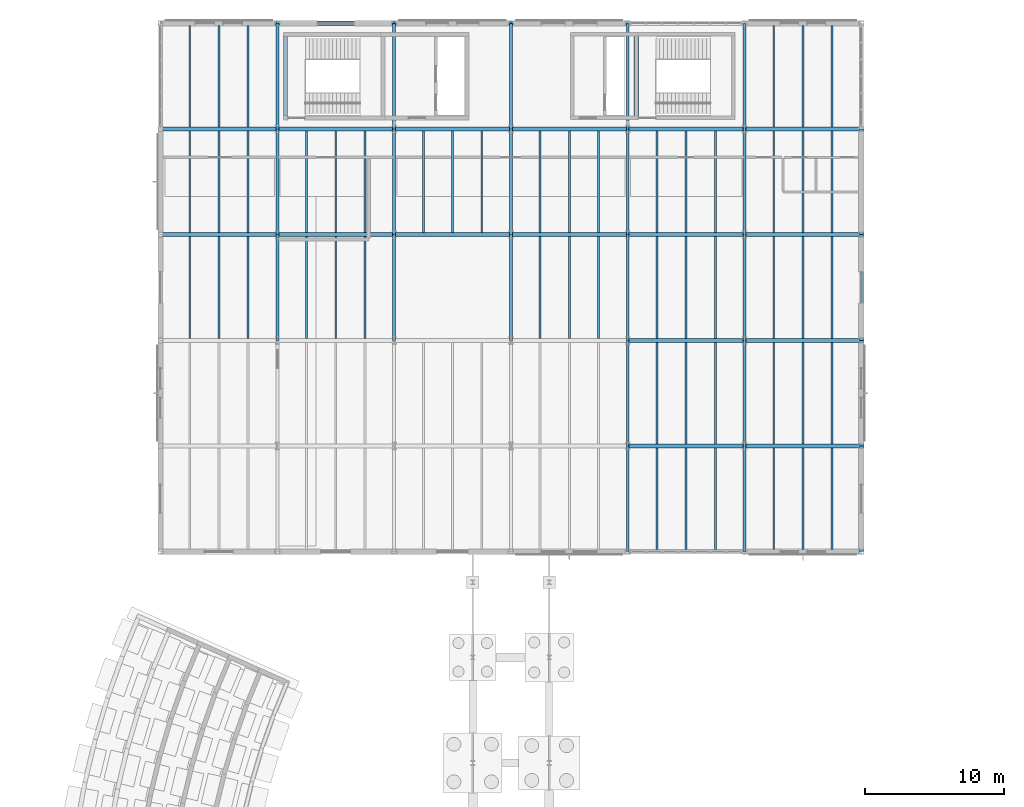
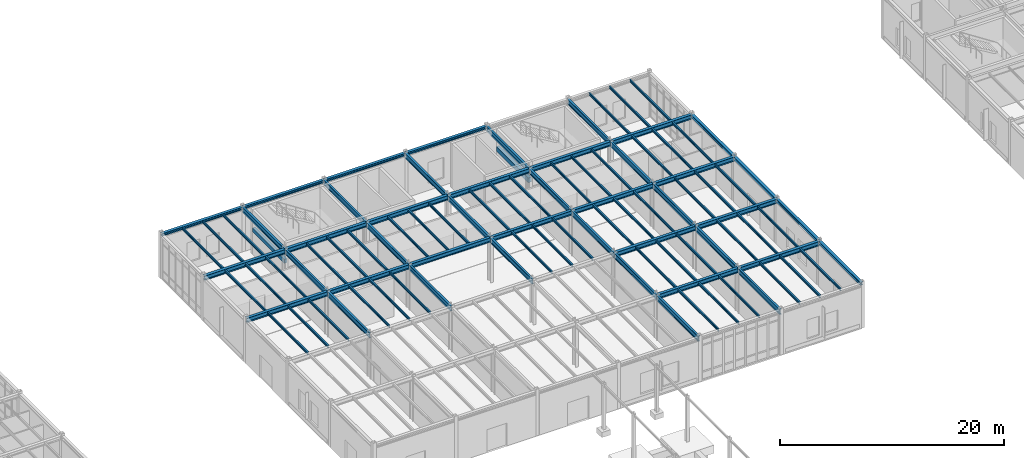
# One storey, part 60 of 109: 96 beams.
"""IFC4 building model written with IfcOpenShell, lengths in metres."""

from ifc_helpers import new_model, si_unit, direction, frame, origin, origin_2d, place, context, subcontext, project, spatial, rectangle, i_section, extrude, material, material_profile, profile_set, type_object, element, save


model = new_model("IFC4")

# Units and contexts
model_context = context("Model", 3, precision=1e-05, world=origin(), true_north=direction((0.0, 1.0)))
body_context = subcontext(model_context, "Body", "Model", "MODEL_VIEW")
ifc_project = project(units=[si_unit("LENGTHUNIT", "METRE"), si_unit("AREAUNIT", "SQUARE_METRE"), si_unit("VOLUMEUNIT", "CUBIC_METRE"), si_unit("PLANEANGLEUNIT", "RADIAN"), si_unit("MASSUNIT", "GRAM", prefix="KILO")], contexts=[model_context])

# Site, building, storey
site_placement = place(None, origin())
site = spatial("IfcSite", under=ifc_project, at=site_placement, CompositionType="ELEMENT")
building_placement = place(site_placement, origin())
building = spatial("IfcBuilding", under=site, at=building_placement, Name="Montecoro Central Library", CompositionType="ELEMENT")
storey_placement = place(building_placement, origin())
storey = spatial("IfcBuildingStorey", under=building, at=storey_placement, Name="L00", CompositionType="ELEMENT", Elevation=0.0)

# Beams
ifc_material_1 = material(Name="Steel S355J2", Category="steel")
ifc_material_profile_1 = material_profile(ifc_material_1, i_section(OverallWidth=0.300048828125, OverallDepth=0.489990234375, WebThickness=0.011962890625, FlangeThickness=0.02294921875, at=origin_2d()), Name="HEA 500")
ifc_profile_set_1 = profile_set([ifc_material_profile_1], Name="Steel S355J2")
beam_type_1 = type_object("IfcBeamType", Name="BM-G-HEA500", PredefinedType="USERDEFINED", material=ifc_profile_set_1)
beam_1_placement = place(storey_placement, frame((100.0048828125, 88.60009765625, 4.60009765625), z_axis=(1.0, 0.0, 0.0), x_axis=(0.0, 1.0, 0.0)))
element("IfcBeam", 1, at=beam_1_placement, inside=storey, type_object=beam_type_1, Name="V2-L00-BX-1314-M", ObjectType="GIRDER", PredefinedType="USERDEFINED", context=body_context, shape_type="SweptSolid", body=[
    extrude(i_section(OverallWidth=0.300048828125, OverallDepth=0.489990234375, WebThickness=0.011962890625, FlangeThickness=0.02294921875, at=origin_2d()), origin(), (0.0, 0.0, 1.0), 8.39013671875),
])
beam_2_placement = place(storey_placement, frame((108.405029296875, 88.60009765625, 4.60009765625), z_axis=(1.0, 0.0, 0.0), x_axis=(0.0, 1.0, 0.0)))
element("IfcBeam", 2, at=beam_2_placement, inside=storey, type_object=beam_type_1, Name="V2-L00-BX-1415-M", ObjectType="GIRDER", PredefinedType="USERDEFINED", context=body_context, shape_type="SweptSolid", body=[
    extrude(i_section(OverallWidth=0.300048828125, OverallDepth=0.489990234375, WebThickness=0.011962890625, FlangeThickness=0.02294921875, at=origin_2d()), origin(), (0.0, 0.0, 1.0), 8.389892578125),
])
beam_3_placement = place(storey_placement, frame((100.0048828125, 96.199951171875, 4.60009765625), z_axis=(1.0, 0.0, 0.0), x_axis=(0.0, 1.0, 0.0)))
element("IfcBeam", 3, at=beam_3_placement, inside=storey, type_object=beam_type_1, Name="V2-L00-BX-1314-N", ObjectType="GIRDER", PredefinedType="USERDEFINED", context=body_context, shape_type="SweptSolid", body=[
    extrude(i_section(OverallWidth=0.300048828125, OverallDepth=0.489990234375, WebThickness=0.011962890625, FlangeThickness=0.02294921875, at=origin_2d()), origin(), (0.0, 0.0, 1.0), 8.39013671875),
])
for number, where, z_axis, x_axis, name in (
    (4, (108.405029296875, 96.199951171875, 4.60009765625), (1.0, 0.0, 0.0), (0.0, 1.0, 0.0), "V2-L00-BX-1415-N"),
    (5, (66.405029296875, 103.800048828125, 4.60009765625), (1.0, 0.0, 0.0), (0.0, 1.0, 0.0), "V2-L00-BX-910-P"),
):
    element("IfcBeam", number, at=place(storey_placement, frame(where, z_axis=z_axis, x_axis=x_axis)), inside=storey, type_object=beam_type_1, Name=name, ObjectType="GIRDER", PredefinedType="USERDEFINED", context=body_context, shape_type="SweptSolid", body=[
        extrude(i_section(OverallWidth=0.300048828125, OverallDepth=0.489990234375, WebThickness=0.011962890625, FlangeThickness=0.02294921875, at=origin_2d()), origin(), (0.0, 0.0, 1.0), 8.389892578125),
    ])
beam_4_placement = place(storey_placement, frame((74.804931640625, 103.800048828125, 4.60009765625), z_axis=(1.0, 0.0, 0.0), x_axis=(0.0, 1.0, 0.0)))
element("IfcBeam", 6, at=beam_4_placement, inside=storey, type_object=beam_type_1, Name="V2-L00-BX-1011-P", ObjectType="GIRDER", PredefinedType="USERDEFINED", context=body_context, shape_type="SweptSolid", body=[
    extrude(i_section(OverallWidth=0.300048828125, OverallDepth=0.489990234375, WebThickness=0.011962890625, FlangeThickness=0.02294921875, at=origin_2d()), origin(), (0.0, 0.0, 1.0), 8.39013671875),
])
beam_5_placement = place(storey_placement, frame((83.205078125, 103.800048828125, 4.60009765625), z_axis=(1.0, 0.0, 0.0), x_axis=(0.0, 1.0, 0.0)))
element("IfcBeam", 7, at=beam_5_placement, inside=storey, type_object=beam_type_1, Name="V2-L00-BX-1112-P", ObjectType="GIRDER", PredefinedType="USERDEFINED", context=body_context, shape_type="SweptSolid", body=[
    extrude(i_section(OverallWidth=0.300048828125, OverallDepth=0.489990234375, WebThickness=0.011962890625, FlangeThickness=0.02294921875, at=origin_2d()), origin(), (0.0, 0.0, 1.0), 8.389892578125),
])
for number, where, z_axis, x_axis, name in (
    (8, (91.60498046875, 103.800048828125, 4.60009765625), (1.0, 0.0, 0.0), (0.0, 1.0, 0.0), "V2-L00-BX-1213-P"),
    (9, (100.0048828125, 103.800048828125, 4.60009765625), (1.0, 0.0, 0.0), (0.0, 1.0, 0.0), "V2-L00-BX-1314-P"),
):
    element("IfcBeam", number, at=place(storey_placement, frame(where, z_axis=z_axis, x_axis=x_axis)), inside=storey, type_object=beam_type_1, Name=name, ObjectType="GIRDER", PredefinedType="USERDEFINED", context=body_context, shape_type="SweptSolid", body=[
        extrude(i_section(OverallWidth=0.300048828125, OverallDepth=0.489990234375, WebThickness=0.011962890625, FlangeThickness=0.02294921875, at=origin_2d()), origin(), (0.0, 0.0, 1.0), 8.39013671875),
    ])
for number, where, z_axis, x_axis, name in (
    (10, (108.405029296875, 103.800048828125, 4.60009765625), (1.0, 0.0, 0.0), (0.0, 1.0, 0.0), "V2-L00-BX-1415-P"),
    (11, (66.405029296875, 111.39990234375, 4.60009765625), (1.0, 0.0, 0.0), (0.0, 1.0, 0.0), "V2-L00-BX-910-Q"),
):
    element("IfcBeam", number, at=place(storey_placement, frame(where, z_axis=z_axis, x_axis=x_axis)), inside=storey, type_object=beam_type_1, Name=name, ObjectType="GIRDER", PredefinedType="USERDEFINED", context=body_context, shape_type="SweptSolid", body=[
        extrude(i_section(OverallWidth=0.300048828125, OverallDepth=0.489990234375, WebThickness=0.011962890625, FlangeThickness=0.02294921875, at=origin_2d()), origin(), (0.0, 0.0, 1.0), 8.389892578125),
    ])
beam_6_placement = place(storey_placement, frame((74.804931640625, 111.39990234375, 4.60009765625), z_axis=(1.0, 0.0, 0.0), x_axis=(0.0, 1.0, 0.0)))
element("IfcBeam", 12, at=beam_6_placement, inside=storey, type_object=beam_type_1, Name="V2-L00-BX-1011-Q", ObjectType="GIRDER", PredefinedType="USERDEFINED", context=body_context, shape_type="SweptSolid", body=[
    extrude(i_section(OverallWidth=0.300048828125, OverallDepth=0.489990234375, WebThickness=0.011962890625, FlangeThickness=0.02294921875, at=origin_2d()), origin(), (0.0, 0.0, 1.0), 8.39013671875),
])
beam_7_placement = place(storey_placement, frame((83.205078125, 111.39990234375, 4.60009765625), z_axis=(1.0, 0.0, 0.0), x_axis=(0.0, 1.0, 0.0)))
element("IfcBeam", 13, at=beam_7_placement, inside=storey, type_object=beam_type_1, Name="V2-L00-BX-1112-Q", ObjectType="GIRDER", PredefinedType="USERDEFINED", context=body_context, shape_type="SweptSolid", body=[
    extrude(i_section(OverallWidth=0.300048828125, OverallDepth=0.489990234375, WebThickness=0.011962890625, FlangeThickness=0.02294921875, at=origin_2d()), origin(), (0.0, 0.0, 1.0), 8.389892578125),
])
for number, where, z_axis, x_axis, name in (
    (14, (91.60498046875, 111.39990234375, 4.60009765625), (1.0, 0.0, 0.0), (0.0, 1.0, 0.0), "V2-L00-BX-1213-Q"),
    (15, (100.0048828125, 111.39990234375, 4.60009765625), (1.0, 0.0, 0.0), (0.0, 1.0, 0.0), "V2-L00-BX-1314-Q"),
):
    element("IfcBeam", number, at=place(storey_placement, frame(where, z_axis=z_axis, x_axis=x_axis)), inside=storey, type_object=beam_type_1, Name=name, ObjectType="GIRDER", PredefinedType="USERDEFINED", context=body_context, shape_type="SweptSolid", body=[
        extrude(i_section(OverallWidth=0.300048828125, OverallDepth=0.489990234375, WebThickness=0.011962890625, FlangeThickness=0.02294921875, at=origin_2d()), origin(), (0.0, 0.0, 1.0), 8.39013671875),
    ])
beam_8_placement = place(storey_placement, frame((108.405029296875, 111.39990234375, 4.60009765625), z_axis=(1.0, 0.0, 0.0), x_axis=(0.0, 1.0, 0.0)))
element("IfcBeam", 16, at=beam_8_placement, inside=storey, type_object=beam_type_1, Name="V2-L00-BX-1415-Q", ObjectType="GIRDER", PredefinedType="USERDEFINED", context=body_context, shape_type="SweptSolid", body=[
    extrude(i_section(OverallWidth=0.300048828125, OverallDepth=0.489990234375, WebThickness=0.011962890625, FlangeThickness=0.02294921875, at=origin_2d()), origin(), (0.0, 0.0, 1.0), 8.389892578125),
])
ifc_material_profile_2 = material_profile(ifc_material_1, i_section(OverallWidth=0.2099609375, OverallDepth=0.550048828125, WebThickness=0.010986328125, FlangeThickness=0.01708984375, at=origin_2d()), Name="IPE 550")
ifc_profile_set_2 = profile_set([ifc_material_profile_2], Name="Steel S355J2")
beam_type_2 = type_object("IfcBeamType", Name="BM-G-IPE550", PredefinedType="USERDEFINED", material=ifc_profile_set_2)
beam_9_placement = place(storey_placement, frame((74.800048828125, 96.205078125, 4.570068359375), z_axis=(0.0, 1.0, 0.0), x_axis=(-1.0, 0.0, 0.0)))
element("IfcBeam", 17, at=beam_9_placement, inside=storey, type_object=beam_type_2, Name="V2-L00-BY-10-NP", ObjectType="GIRDER", PredefinedType="USERDEFINED", context=body_context, shape_type="SweptSolid", body=[
    extrude(i_section(OverallWidth=0.2099609375, OverallDepth=0.550048828125, WebThickness=0.010986328125, FlangeThickness=0.01708984375, at=origin_2d()), origin(), (0.0, 0.0, 1.0), 7.58984375),
])
for number, where, z_axis, x_axis, name in (
    (18, (74.800048828125, 103.804931640625, 4.570068359375), (0.0, 1.0, 0.0), (-1.0, 0.0, 0.0), "V2-L00-BY-10-PQ"),
    (19, (74.800048828125, 111.405029296875, 4.570068359375), (0.0, 1.0, 0.0), (-1.0, 0.0, 0.0), "V2-L00-BY-10-QR"),
):
    element("IfcBeam", number, at=place(storey_placement, frame(where, z_axis=z_axis, x_axis=x_axis)), inside=storey, type_object=beam_type_2, Name=name, ObjectType="GIRDER", PredefinedType="USERDEFINED", context=body_context, shape_type="SweptSolid", body=[
        extrude(i_section(OverallWidth=0.2099609375, OverallDepth=0.550048828125, WebThickness=0.010986328125, FlangeThickness=0.01708984375, at=origin_2d()), origin(), (0.0, 0.0, 1.0), 7.590087890625),
    ])
beam_10_placement = place(storey_placement, frame((83.199951171875, 96.205078125, 4.570068359375), z_axis=(0.0, 1.0, 0.0), x_axis=(-1.0, 0.0, 0.0)))
element("IfcBeam", 20, at=beam_10_placement, inside=storey, type_object=beam_type_2, Name="V2-L00-BY-11-NP", ObjectType="GIRDER", PredefinedType="USERDEFINED", context=body_context, shape_type="SweptSolid", body=[
    extrude(i_section(OverallWidth=0.2099609375, OverallDepth=0.550048828125, WebThickness=0.010986328125, FlangeThickness=0.01708984375, at=origin_2d()), origin(), (0.0, 0.0, 1.0), 7.58984375),
])
for number, where, z_axis, x_axis, name in (
    (21, (83.199951171875, 103.804931640625, 4.570068359375), (0.0, 1.0, 0.0), (-1.0, 0.0, 0.0), "V2-L00-BY-11-PQ"),
    (22, (83.199951171875, 111.405029296875, 4.570068359375), (0.0, 1.0, 0.0), (-1.0, 0.0, 0.0), "V2-L00-BY-11-QR"),
):
    element("IfcBeam", number, at=place(storey_placement, frame(where, z_axis=z_axis, x_axis=x_axis)), inside=storey, type_object=beam_type_2, Name=name, ObjectType="GIRDER", PredefinedType="USERDEFINED", context=body_context, shape_type="SweptSolid", body=[
        extrude(i_section(OverallWidth=0.2099609375, OverallDepth=0.550048828125, WebThickness=0.010986328125, FlangeThickness=0.01708984375, at=origin_2d()), origin(), (0.0, 0.0, 1.0), 7.590087890625),
    ])
beam_11_placement = place(storey_placement, frame((91.60009765625, 96.205078125, 4.570068359375), z_axis=(0.0, 1.0, 0.0), x_axis=(-1.0, 0.0, 0.0)))
element("IfcBeam", 23, at=beam_11_placement, inside=storey, type_object=beam_type_2, Name="V2-L00-BY-12-NP", ObjectType="GIRDER", PredefinedType="USERDEFINED", context=body_context, shape_type="SweptSolid", body=[
    extrude(i_section(OverallWidth=0.2099609375, OverallDepth=0.550048828125, WebThickness=0.010986328125, FlangeThickness=0.01708984375, at=origin_2d()), origin(), (0.0, 0.0, 1.0), 7.58984375),
])
for number, where, z_axis, x_axis, name in (
    (24, (91.60009765625, 103.804931640625, 4.570068359375), (0.0, 1.0, 0.0), (-1.0, 0.0, 0.0), "V2-L00-BY-12-PQ"),
    (25, (91.60009765625, 111.405029296875, 4.570068359375), (0.0, 1.0, 0.0), (-1.0, 0.0, 0.0), "V2-L00-BY-12-QR"),
    (26, (100.0, 81.0048828125, 4.570068359375), (0.0, 1.0, 0.0), (-1.0, 0.0, 0.0), "V2-L00-BY-13-LM"),
    (27, (100.0, 88.60498046875, 4.570068359375), (0.0, 1.0, 0.0), (-1.0, 0.0, 0.0), "V2-L00-BY-13-MN"),
):
    element("IfcBeam", number, at=place(storey_placement, frame(where, z_axis=z_axis, x_axis=x_axis)), inside=storey, type_object=beam_type_2, Name=name, ObjectType="GIRDER", PredefinedType="USERDEFINED", context=body_context, shape_type="SweptSolid", body=[
        extrude(i_section(OverallWidth=0.2099609375, OverallDepth=0.550048828125, WebThickness=0.010986328125, FlangeThickness=0.01708984375, at=origin_2d()), origin(), (0.0, 0.0, 1.0), 7.590087890625),
    ])
beam_12_placement = place(storey_placement, frame((100.0, 96.205078125, 4.570068359375), z_axis=(0.0, 1.0, 0.0), x_axis=(-1.0, 0.0, 0.0)))
element("IfcBeam", 28, at=beam_12_placement, inside=storey, type_object=beam_type_2, Name="V2-L00-BY-13-NP", ObjectType="GIRDER", PredefinedType="USERDEFINED", context=body_context, shape_type="SweptSolid", body=[
    extrude(i_section(OverallWidth=0.2099609375, OverallDepth=0.550048828125, WebThickness=0.010986328125, FlangeThickness=0.01708984375, at=origin_2d()), origin(), (0.0, 0.0, 1.0), 7.58984375),
])
for number, where, z_axis, x_axis, name in (
    (29, (100.0, 103.804931640625, 4.570068359375), (0.0, 1.0, 0.0), (-1.0, 0.0, 0.0), "V2-L00-BY-13-PQ"),
    (30, (100.0, 111.405029296875, 4.570068359375), (0.0, 1.0, 0.0), (-1.0, 0.0, 0.0), "V2-L00-BY-13-QR"),
    (31, (108.39990234375, 81.0048828125, 4.570068359375), (0.0, 1.0, 0.0), (-1.0, 0.0, 0.0), "V2-L00-BY-14-LM"),
    (32, (108.39990234375, 88.60498046875, 4.570068359375), (0.0, 1.0, 0.0), (-1.0, 0.0, 0.0), "V2-L00-BY-14-MN"),
):
    element("IfcBeam", number, at=place(storey_placement, frame(where, z_axis=z_axis, x_axis=x_axis)), inside=storey, type_object=beam_type_2, Name=name, ObjectType="GIRDER", PredefinedType="USERDEFINED", context=body_context, shape_type="SweptSolid", body=[
        extrude(i_section(OverallWidth=0.2099609375, OverallDepth=0.550048828125, WebThickness=0.010986328125, FlangeThickness=0.01708984375, at=origin_2d()), origin(), (0.0, 0.0, 1.0), 7.590087890625),
    ])
beam_13_placement = place(storey_placement, frame((108.39990234375, 96.205078125, 4.570068359375), z_axis=(0.0, 1.0, 0.0), x_axis=(-1.0, 0.0, 0.0)))
element("IfcBeam", 33, at=beam_13_placement, inside=storey, type_object=beam_type_2, Name="V2-L00-BY-14-NP", ObjectType="GIRDER", PredefinedType="USERDEFINED", context=body_context, shape_type="SweptSolid", body=[
    extrude(i_section(OverallWidth=0.2099609375, OverallDepth=0.550048828125, WebThickness=0.010986328125, FlangeThickness=0.01708984375, at=origin_2d()), origin(), (0.0, 0.0, 1.0), 7.58984375),
])
for number, where, z_axis, x_axis, name in (
    (34, (108.39990234375, 103.804931640625, 4.570068359375), (0.0, 1.0, 0.0), (-1.0, 0.0, 0.0), "V2-L00-BY-14-PQ"),
    (35, (108.39990234375, 111.405029296875, 4.570068359375), (0.0, 1.0, 0.0), (-1.0, 0.0, 0.0), "V2-L00-BY-14-QR"),
):
    element("IfcBeam", number, at=place(storey_placement, frame(where, z_axis=z_axis, x_axis=x_axis)), inside=storey, type_object=beam_type_2, Name=name, ObjectType="GIRDER", PredefinedType="USERDEFINED", context=body_context, shape_type="SweptSolid", body=[
        extrude(i_section(OverallWidth=0.2099609375, OverallDepth=0.550048828125, WebThickness=0.010986328125, FlangeThickness=0.01708984375, at=origin_2d()), origin(), (0.0, 0.0, 1.0), 7.590087890625),
    ])
ifc_material_2 = material(Name="Steel S355", Category="steel")
ifc_material_profile_3 = material_profile(ifc_material_2, i_section(OverallWidth=0.135009765625, OverallDepth=0.27001953125, WebThickness=0.006591796875, FlangeThickness=0.01025390625, at=origin_2d()), Name="IPE 270")
ifc_profile_set_3 = profile_set([ifc_material_profile_3], Name="Steel S355")
beam_type_3 = type_object("IfcBeamType", Name="BM-J-IPE270", PredefinedType="JOIST", material=ifc_profile_set_3)
for number, where, z_axis, x_axis, name in (
    (36, (68.5, 96.346923828125, 4.7099609375), (0.0, 1.0, 0.0), (-1.0, 0.0, 0.0), "V2-L00-JS-910-NP-1"),
    (37, (70.60009765625, 96.346923828125, 4.7099609375), (0.0, 1.0, 0.0), (-1.0, 0.0, 0.0), "V2-L00-JS-910-NP-2"),
    (38, (72.699951171875, 96.346923828125, 4.7099609375), (0.0, 1.0, 0.0), (-1.0, 0.0, 0.0), "V2-L00-JS-910-NP-3"),
):
    element("IfcBeam", number, at=place(storey_placement, frame(where, z_axis=z_axis, x_axis=x_axis)), inside=storey, type_object=beam_type_3, Name=name, PredefinedType="JOIST", context=body_context, shape_type="SweptSolid", body=[
        extrude(i_section(OverallWidth=0.135009765625, OverallDepth=0.27001953125, WebThickness=0.006591796875, FlangeThickness=0.01025390625, at=origin_2d()), origin(), (0.0, 0.0, 1.0), 7.30615234375),
    ])
for number, where, z_axis, x_axis, name in (
    (39, (68.5, 103.947021484375, 4.7099609375), (0.0, 1.0, 0.0), (-1.0, 0.0, 0.0), "V2-L00-JS-910-PQ-1"),
    (40, (70.60009765625, 103.947021484375, 4.7099609375), (0.0, 1.0, 0.0), (-1.0, 0.0, 0.0), "V2-L00-JS-910-PQ-2"),
    (41, (72.699951171875, 103.947021484375, 4.7099609375), (0.0, 1.0, 0.0), (-1.0, 0.0, 0.0), "V2-L00-JS-910-PQ-3"),
    (42, (68.5, 111.547119140625, 4.7099609375), (0.0, 1.0, 0.0), (-1.0, 0.0, 0.0), "V2-L00-JS-910-QR-1"),
    (43, (70.60009765625, 111.547119140625, 4.7099609375), (0.0, 1.0, 0.0), (-1.0, 0.0, 0.0), "V2-L00-JS-910-QR-2"),
    (44, (72.699951171875, 111.547119140625, 4.7099609375), (0.0, 1.0, 0.0), (-1.0, 0.0, 0.0), "V2-L00-JS-910-QR-3"),
):
    element("IfcBeam", number, at=place(storey_placement, frame(where, z_axis=z_axis, x_axis=x_axis)), inside=storey, type_object=beam_type_3, Name=name, PredefinedType="JOIST", context=body_context, shape_type="SweptSolid", body=[
        extrude(i_section(OverallWidth=0.135009765625, OverallDepth=0.27001953125, WebThickness=0.006591796875, FlangeThickness=0.01025390625, at=origin_2d()), origin(), (0.0, 0.0, 1.0), 7.305908203125),
    ])
for number, where, z_axis, x_axis, name in (
    (45, (76.89990234375, 96.346923828125, 4.7099609375), (0.0, 1.0, 0.0), (-1.0, 0.0, 0.0), "V2-L00-JS-1011-NP-1"),
    (46, (79.0, 96.346923828125, 4.7099609375), (0.0, 1.0, 0.0), (-1.0, 0.0, 0.0), "V2-L00-JS-1011-NP-2"),
    (47, (81.10009765625, 96.346923828125, 4.7099609375), (0.0, 1.0, 0.0), (-1.0, 0.0, 0.0), "V2-L00-JS-1011-NP-3"),
):
    element("IfcBeam", number, at=place(storey_placement, frame(where, z_axis=z_axis, x_axis=x_axis)), inside=storey, type_object=beam_type_3, Name=name, PredefinedType="JOIST", context=body_context, shape_type="SweptSolid", body=[
        extrude(i_section(OverallWidth=0.135009765625, OverallDepth=0.27001953125, WebThickness=0.006591796875, FlangeThickness=0.01025390625, at=origin_2d()), origin(), (0.0, 0.0, 1.0), 7.30615234375),
    ])
for number, where, z_axis, x_axis, name in (
    (48, (76.89990234375, 103.947021484375, 4.7099609375), (0.0, 1.0, 0.0), (-1.0, 0.0, 0.0), "V2-L00-JS-1011-PQ-1"),
    (49, (79.0, 103.947021484375, 4.7099609375), (0.0, 1.0, 0.0), (-1.0, 0.0, 0.0), "V2-L00-JS-1011-PQ-2"),
    (50, (81.10009765625, 103.947021484375, 4.7099609375), (0.0, 1.0, 0.0), (-1.0, 0.0, 0.0), "V2-L00-JS-1011-PQ-3"),
    (51, (85.300048828125, 103.947021484375, 4.7099609375), (0.0, 1.0, 0.0), (-1.0, 0.0, 0.0), "V2-L00-JS-1112-PQ-1"),
    (52, (87.39990234375, 103.947021484375, 4.7099609375), (0.0, 1.0, 0.0), (-1.0, 0.0, 0.0), "V2-L00-JS-1112-PQ-2"),
    (53, (89.5, 103.947021484375, 4.7099609375), (0.0, 1.0, 0.0), (-1.0, 0.0, 0.0), "V2-L00-JS-1112-PQ-3"),
):
    element("IfcBeam", number, at=place(storey_placement, frame(where, z_axis=z_axis, x_axis=x_axis)), inside=storey, type_object=beam_type_3, Name=name, PredefinedType="JOIST", context=body_context, shape_type="SweptSolid", body=[
        extrude(i_section(OverallWidth=0.135009765625, OverallDepth=0.27001953125, WebThickness=0.006591796875, FlangeThickness=0.01025390625, at=origin_2d()), origin(), (0.0, 0.0, 1.0), 7.305908203125),
    ])
for number, where, z_axis, x_axis, name in (
    (54, (93.699951171875, 96.346923828125, 4.7099609375), (0.0, 1.0, 0.0), (-1.0, 0.0, 0.0), "V2-L00-JS-1213-NP-1"),
    (55, (95.800048828125, 96.346923828125, 4.7099609375), (0.0, 1.0, 0.0), (-1.0, 0.0, 0.0), "V2-L00-JS-1213-NP-2"),
    (56, (97.89990234375, 96.346923828125, 4.7099609375), (0.0, 1.0, 0.0), (-1.0, 0.0, 0.0), "V2-L00-JS-1213-NP-3"),
):
    element("IfcBeam", number, at=place(storey_placement, frame(where, z_axis=z_axis, x_axis=x_axis)), inside=storey, type_object=beam_type_3, Name=name, PredefinedType="JOIST", context=body_context, shape_type="SweptSolid", body=[
        extrude(i_section(OverallWidth=0.135009765625, OverallDepth=0.27001953125, WebThickness=0.006591796875, FlangeThickness=0.01025390625, at=origin_2d()), origin(), (0.0, 0.0, 1.0), 7.30615234375),
    ])
for number, where, z_axis, x_axis, name in (
    (57, (93.699951171875, 103.947021484375, 4.7099609375), (0.0, 1.0, 0.0), (-1.0, 0.0, 0.0), "V2-L00-JS-1213-PQ-1"),
    (58, (95.800048828125, 103.947021484375, 4.7099609375), (0.0, 1.0, 0.0), (-1.0, 0.0, 0.0), "V2-L00-JS-1213-PQ-2"),
    (59, (97.89990234375, 103.947021484375, 4.7099609375), (0.0, 1.0, 0.0), (-1.0, 0.0, 0.0), "V2-L00-JS-1213-PQ-3"),
    (60, (102.10009765625, 81.14697265625, 4.7099609375), (0.0, 1.0, 0.0), (-1.0, 0.0, 0.0), "V2-L00-JS-1314-LM-1"),
    (61, (104.199951171875, 81.14697265625, 4.7099609375), (0.0, 1.0, 0.0), (-1.0, 0.0, 0.0), "V2-L00-JS-1314-LM-2"),
    (62, (106.300048828125, 81.14697265625, 4.7099609375), (0.0, 1.0, 0.0), (-1.0, 0.0, 0.0), "V2-L00-JS-1314-LM-3"),
    (63, (102.10009765625, 88.7470703125, 4.7099609375), (0.0, 1.0, 0.0), (-1.0, 0.0, 0.0), "V2-L00-JS-1314-MN-1"),
    (64, (104.199951171875, 88.7470703125, 4.7099609375), (0.0, 1.0, 0.0), (-1.0, 0.0, 0.0), "V2-L00-JS-1314-MN-2"),
    (65, (106.300048828125, 88.7470703125, 4.7099609375), (0.0, 1.0, 0.0), (-1.0, 0.0, 0.0), "V2-L00-JS-1314-MN-3"),
):
    element("IfcBeam", number, at=place(storey_placement, frame(where, z_axis=z_axis, x_axis=x_axis)), inside=storey, type_object=beam_type_3, Name=name, PredefinedType="JOIST", context=body_context, shape_type="SweptSolid", body=[
        extrude(i_section(OverallWidth=0.135009765625, OverallDepth=0.27001953125, WebThickness=0.006591796875, FlangeThickness=0.01025390625, at=origin_2d()), origin(), (0.0, 0.0, 1.0), 7.305908203125),
    ])
for number, where, z_axis, x_axis, name in (
    (66, (102.10009765625, 96.346923828125, 4.7099609375), (0.0, 1.0, 0.0), (-1.0, 0.0, 0.0), "V2-L00-JS-1314-NP-1"),
    (67, (104.199951171875, 96.346923828125, 4.7099609375), (0.0, 1.0, 0.0), (-1.0, 0.0, 0.0), "V2-L00-JS-1314-NP-2"),
    (68, (106.300048828125, 96.346923828125, 4.7099609375), (0.0, 1.0, 0.0), (-1.0, 0.0, 0.0), "V2-L00-JS-1314-NP-3"),
):
    element("IfcBeam", number, at=place(storey_placement, frame(where, z_axis=z_axis, x_axis=x_axis)), inside=storey, type_object=beam_type_3, Name=name, PredefinedType="JOIST", context=body_context, shape_type="SweptSolid", body=[
        extrude(i_section(OverallWidth=0.135009765625, OverallDepth=0.27001953125, WebThickness=0.006591796875, FlangeThickness=0.01025390625, at=origin_2d()), origin(), (0.0, 0.0, 1.0), 7.30615234375),
    ])
for number, where, z_axis, x_axis, name in (
    (69, (102.10009765625, 103.947021484375, 4.7099609375), (0.0, 1.0, 0.0), (-1.0, 0.0, 0.0), "V2-L00-JS-1314-PQ-1"),
    (70, (104.199951171875, 103.947021484375, 4.7099609375), (0.0, 1.0, 0.0), (-1.0, 0.0, 0.0), "V2-L00-JS-1314-PQ-2"),
    (71, (106.300048828125, 103.947021484375, 4.7099609375), (0.0, 1.0, 0.0), (-1.0, 0.0, 0.0), "V2-L00-JS-1314-PQ-3"),
    (72, (110.5, 81.14697265625, 4.7099609375), (0.0, 1.0, 0.0), (-1.0, 0.0, 0.0), "V2-L00-JS-1415-LM-1"),
    (73, (112.60009765625, 81.14697265625, 4.7099609375), (0.0, 1.0, 0.0), (-1.0, 0.0, 0.0), "V2-L00-JS-1415-LM-2"),
    (74, (114.699951171875, 81.14697265625, 4.7099609375), (0.0, 1.0, 0.0), (-1.0, 0.0, 0.0), "V2-L00-JS-1415-LM-3"),
    (75, (110.5, 88.7470703125, 4.7099609375), (0.0, 1.0, 0.0), (-1.0, 0.0, 0.0), "V2-L00-JS-1415-MN-1"),
    (76, (112.60009765625, 88.7470703125, 4.7099609375), (0.0, 1.0, 0.0), (-1.0, 0.0, 0.0), "V2-L00-JS-1415-MN-2"),
    (77, (114.699951171875, 88.7470703125, 4.7099609375), (0.0, 1.0, 0.0), (-1.0, 0.0, 0.0), "V2-L00-JS-1415-MN-3"),
):
    element("IfcBeam", number, at=place(storey_placement, frame(where, z_axis=z_axis, x_axis=x_axis)), inside=storey, type_object=beam_type_3, Name=name, PredefinedType="JOIST", context=body_context, shape_type="SweptSolid", body=[
        extrude(i_section(OverallWidth=0.135009765625, OverallDepth=0.27001953125, WebThickness=0.006591796875, FlangeThickness=0.01025390625, at=origin_2d()), origin(), (0.0, 0.0, 1.0), 7.305908203125),
    ])
for number, where, z_axis, x_axis, name in (
    (78, (110.5, 96.346923828125, 4.7099609375), (0.0, 1.0, 0.0), (-1.0, 0.0, 0.0), "V2-L00-JS-1415-NP-1"),
    (79, (112.60009765625, 96.346923828125, 4.7099609375), (0.0, 1.0, 0.0), (-1.0, 0.0, 0.0), "V2-L00-JS-1415-NP-2"),
    (80, (114.699951171875, 96.346923828125, 4.7099609375), (0.0, 1.0, 0.0), (-1.0, 0.0, 0.0), "V2-L00-JS-1415-NP-3"),
):
    element("IfcBeam", number, at=place(storey_placement, frame(where, z_axis=z_axis, x_axis=x_axis)), inside=storey, type_object=beam_type_3, Name=name, PredefinedType="JOIST", context=body_context, shape_type="SweptSolid", body=[
        extrude(i_section(OverallWidth=0.135009765625, OverallDepth=0.27001953125, WebThickness=0.006591796875, FlangeThickness=0.01025390625, at=origin_2d()), origin(), (0.0, 0.0, 1.0), 7.30615234375),
    ])
for number, where, z_axis, x_axis, name in (
    (81, (110.5, 103.947021484375, 4.7099609375), (0.0, 1.0, 0.0), (-1.0, 0.0, 0.0), "V2-L00-JS-1415-PQ-1"),
    (82, (112.60009765625, 103.947021484375, 4.7099609375), (0.0, 1.0, 0.0), (-1.0, 0.0, 0.0), "V2-L00-JS-1415-PQ-2"),
    (83, (114.699951171875, 103.947021484375, 4.7099609375), (0.0, 1.0, 0.0), (-1.0, 0.0, 0.0), "V2-L00-JS-1415-PQ-3"),
    (84, (110.5, 111.547119140625, 4.7099609375), (0.0, 1.0, 0.0), (-1.0, 0.0, 0.0), "V2-L00-JS-1415-QR-1"),
    (85, (112.60009765625, 111.547119140625, 4.7099609375), (0.0, 1.0, 0.0), (-1.0, 0.0, 0.0), "V2-L00-JS-1415-QR-2"),
    (86, (114.699951171875, 111.547119140625, 4.7099609375), (0.0, 1.0, 0.0), (-1.0, 0.0, 0.0), "V2-L00-JS-1415-QR-3"),
):
    element("IfcBeam", number, at=place(storey_placement, frame(where, z_axis=z_axis, x_axis=x_axis)), inside=storey, type_object=beam_type_3, Name=name, PredefinedType="JOIST", context=body_context, shape_type="SweptSolid", body=[
        extrude(i_section(OverallWidth=0.135009765625, OverallDepth=0.27001953125, WebThickness=0.006591796875, FlangeThickness=0.01025390625, at=origin_2d()), origin(), (0.0, 0.0, 1.0), 7.305908203125),
    ])
ifc_material_3 = material(Name="Concrete C35/45", Category="concrete")
ifc_material_profile_4 = material_profile(ifc_material_3, rectangle(XDim=0.300048828125, YDim=0.449951171875, at=origin_2d()), Name="RC LNT 450x300")
ifc_profile_set_4 = profile_set([ifc_material_profile_4], Name="Concrete C35/45")
beam_type_4 = type_object("IfcBeamType", Name="BM-LN-RC02", PredefinedType="LINTEL", material=ifc_profile_set_4)
beam_14_placement = place(storey_placement, frame((75.39990234375, 112.35009765625, 2.675048828125), z_axis=(0.0, 1.0, 0.0), x_axis=(-1.0, 0.0, 0.0)))
element("IfcBeam", 87, at=beam_14_placement, inside=storey, type_object=beam_type_4, Name="C2-L00-LNT", PredefinedType="LINTEL", context=body_context, shape_type="SweptSolid", body=[
    extrude(rectangle(XDim=0.300048828125, YDim=0.449951171875, at=origin_2d()), origin(), (0.0, 0.0, 1.0), 5.699951171875),
])
ifc_material_profile_5 = material_profile(ifc_material_3, rectangle(XDim=0.320068359375, YDim=0.5, at=origin_2d()), Name="RC LNT 500x320")
ifc_profile_set_5 = profile_set([ifc_material_profile_5], Name="Concrete C35/45")
beam_type_5 = type_object("IfcBeamType", Name="BM-LN-RC03", PredefinedType="LINTEL", material=ifc_profile_set_5)
beam_15_placement = place(storey_placement, frame((100.60009765625, 112.35009765625, 2.699951171875), z_axis=(0.0, 1.0, 0.0), x_axis=(-1.0, 0.0, 0.0)))
element("IfcBeam", 88, at=beam_15_placement, inside=storey, type_object=beam_type_5, Name="C3-L00-LNT", PredefinedType="LINTEL", context=body_context, shape_type="SweptSolid", body=[
    extrude(rectangle(XDim=0.320068359375, YDim=0.5, at=origin_2d()), origin(), (0.0, 0.0, 1.0), 5.699951171875),
])
ifc_material_profile_6 = material_profile(ifc_material_2, i_section(OverallWidth=0.300048828125, OverallDepth=0.2900390625, WebThickness=0.008544921875, FlangeThickness=0.013916015625, at=origin_2d()), Name="HEA 300")
ifc_profile_set_6 = profile_set([ifc_material_profile_6], Name="Steel S355")
beam_type_6 = type_object("IfcBeamType", Name="BM-SP-HEA300", PredefinedType="SPANDREL", material=ifc_profile_set_6)
beam_16_placement = place(storey_placement, frame((66.405029296875, 119.0, 4.699951171875), z_axis=(1.0, 0.0, 0.0), x_axis=(0.0, 1.0, 0.0)))
element("IfcBeam", 89, at=beam_16_placement, inside=storey, type_object=beam_type_6, Name="V2-L00-BX-910-R", PredefinedType="SPANDREL", context=body_context, shape_type="SweptSolid", body=[
    extrude(i_section(OverallWidth=0.300048828125, OverallDepth=0.2900390625, WebThickness=0.008544921875, FlangeThickness=0.013916015625, at=origin_2d()), origin(), (0.0, 0.0, 1.0), 8.389892578125),
])
beam_17_placement = place(storey_placement, frame((74.804931640625, 119.0, 4.699951171875), z_axis=(1.0, 0.0, 0.0), x_axis=(0.0, 1.0, 0.0)))
element("IfcBeam", 90, at=beam_17_placement, inside=storey, type_object=beam_type_6, Name="V2-L00-BX-1011-R", PredefinedType="SPANDREL", context=body_context, shape_type="SweptSolid", body=[
    extrude(i_section(OverallWidth=0.300048828125, OverallDepth=0.2900390625, WebThickness=0.008544921875, FlangeThickness=0.013916015625, at=origin_2d()), origin(), (0.0, 0.0, 1.0), 8.39013671875),
])
beam_18_placement = place(storey_placement, frame((83.205078125, 119.0, 4.699951171875), z_axis=(1.0, 0.0, 0.0), x_axis=(0.0, 1.0, 0.0)))
element("IfcBeam", 91, at=beam_18_placement, inside=storey, type_object=beam_type_6, Name="V2-L00-BX-1112-R", PredefinedType="SPANDREL", context=body_context, shape_type="SweptSolid", body=[
    extrude(i_section(OverallWidth=0.300048828125, OverallDepth=0.2900390625, WebThickness=0.008544921875, FlangeThickness=0.013916015625, at=origin_2d()), origin(), (0.0, 0.0, 1.0), 8.389892578125),
])
beam_19_placement = place(storey_placement, frame((91.60498046875, 119.0, 4.699951171875), z_axis=(1.0, 0.0, 0.0), x_axis=(0.0, 1.0, 0.0)))
element("IfcBeam", 92, at=beam_19_placement, inside=storey, type_object=beam_type_6, Name="V2-L00-BX-1213-R", PredefinedType="SPANDREL", context=body_context, shape_type="SweptSolid", body=[
    extrude(i_section(OverallWidth=0.300048828125, OverallDepth=0.2900390625, WebThickness=0.008544921875, FlangeThickness=0.013916015625, at=origin_2d()), origin(), (0.0, 0.0, 1.0), 8.39013671875),
])
for number, where, z_axis, x_axis, name in (
    (93, (116.800048828125, 81.0048828125, 4.699951171875), (0.0, 1.0, 0.0), (-1.0, 0.0, 0.0), "V2-L00-BY-15-LM"),
    (94, (116.800048828125, 88.60498046875, 4.699951171875), (0.0, 1.0, 0.0), (-1.0, 0.0, 0.0), "V2-L00-BY-15-MN"),
):
    element("IfcBeam", number, at=place(storey_placement, frame(where, z_axis=z_axis, x_axis=x_axis)), inside=storey, type_object=beam_type_6, Name=name, PredefinedType="SPANDREL", context=body_context, shape_type="SweptSolid", body=[
        extrude(i_section(OverallWidth=0.300048828125, OverallDepth=0.2900390625, WebThickness=0.008544921875, FlangeThickness=0.013916015625, at=origin_2d()), origin(), (0.0, 0.0, 1.0), 7.590087890625),
    ])
beam_20_placement = place(storey_placement, frame((116.800048828125, 96.205078125, 4.699951171875), z_axis=(0.0, 1.0, 0.0), x_axis=(-1.0, 0.0, 0.0)))
element("IfcBeam", 95, at=beam_20_placement, inside=storey, type_object=beam_type_6, Name="V2-L00-BY-15-NP", PredefinedType="SPANDREL", context=body_context, shape_type="SweptSolid", body=[
    extrude(i_section(OverallWidth=0.300048828125, OverallDepth=0.2900390625, WebThickness=0.008544921875, FlangeThickness=0.013916015625, at=origin_2d()), origin(), (0.0, 0.0, 1.0), 7.58984375),
])
beam_21_placement = place(storey_placement, frame((116.800048828125, 103.804931640625, 4.699951171875), z_axis=(0.0, 1.0, 0.0), x_axis=(-1.0, 0.0, 0.0)))
element("IfcBeam", 96, at=beam_21_placement, inside=storey, type_object=beam_type_6, Name="V2-L00-BY-15-PQ", PredefinedType="SPANDREL", context=body_context, shape_type="SweptSolid", body=[
    extrude(i_section(OverallWidth=0.300048828125, OverallDepth=0.2900390625, WebThickness=0.008544921875, FlangeThickness=0.013916015625, at=origin_2d()), origin(), (0.0, 0.0, 1.0), 7.590087890625),
])

save(model, "model.ifc")
